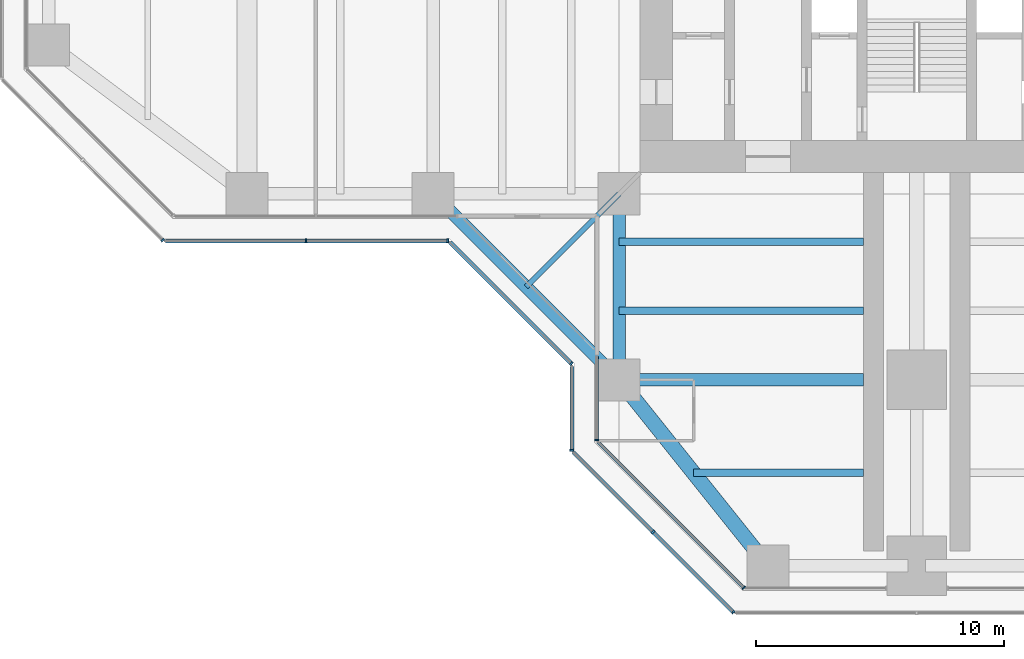
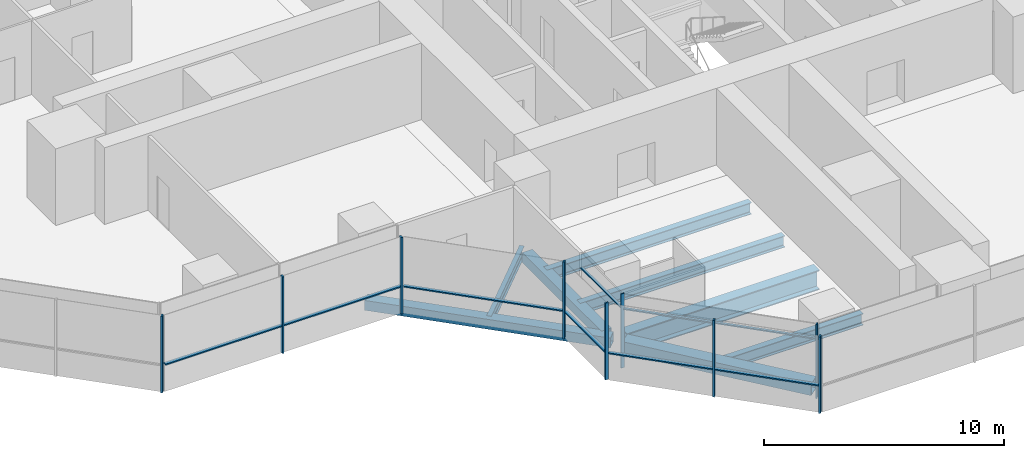
# One storey, part 2 of 19: 17 members, 8 beams, 7 elements without a shape of their own.
"""IFC4 building model written with IfcOpenShell, lengths in metres."""

from ifc_helpers import new_model, si_unit, direction, frame, origin, origin_2d, place, context, subcontext, project, spatial, rectangle, hollow_rectangle, i_section, extrude, material, material_profile, profile_set, type_object, element, aggregate, save


model = new_model("IFC4")

# Units and contexts
model_context = context("Model", 3, precision=1e-05, world=origin(), true_north=direction((0.0, 1.0)))
body_context = subcontext(model_context, "Body", "Model", "MODEL_VIEW")
ifc_project = project(units=[si_unit("LENGTHUNIT", "METRE"), si_unit("AREAUNIT", "SQUARE_METRE"), si_unit("VOLUMEUNIT", "CUBIC_METRE"), si_unit("PLANEANGLEUNIT", "RADIAN"), si_unit("MASSUNIT", "GRAM", prefix="KILO")], contexts=[model_context])

# Site, building, storey
site_placement = place(None, origin())
site = spatial("IfcSite", under=ifc_project, at=site_placement, CompositionType="ELEMENT")
building_placement = place(site_placement, origin())
building = spatial("IfcBuilding", under=site, at=building_placement, Name="Mizan Broadcast Tower", CompositionType="ELEMENT")
storey_placement = place(building_placement, frame((0.0, 0.0, 159.300048828125)))
storey = spatial("IfcBuildingStorey", under=building, at=storey_placement, Name="L36", CompositionType="ELEMENT", Elevation=159.300048828125)

# Beams
ifc_material_1 = material(Name="Steel S355", Category="steel")
ifc_material_profile_1 = material_profile(ifc_material_1, hollow_rectangle(XDim=0.5, YDim=0.5, WallThickness=0.030029296875, at=origin_2d()), Name="BOX 500x500x30")
ifc_profile_set_1 = profile_set([ifc_material_profile_1], Name="Steel S355")
beam_type_1 = type_object("IfcBeamType", Name="EDGE BEAM BOX 500x500x30", PredefinedType="SPANDREL", material=ifc_profile_set_1)
beam_1_placement = place(storey_placement, frame((-12.0, -12.449951171875, -0.380126953125), z_axis=(0.0, -1.0, 0.0), x_axis=(1.0, 0.0, 0.0)))
element("IfcBeam", 1, at=beam_1_placement, inside=storey, type_object=beam_type_1, Name="Edge beam BOX 500x500x30 L36 south arm", PredefinedType="SPANDREL", context=body_context, shape_type="SweptSolid", body=[
    extrude(hollow_rectangle(XDim=0.5, YDim=0.5, WallThickness=0.030029296875, at=origin_2d()), origin(), (0.0, 0.0, 1.0), 6.60009765625),
])
beam_2_placement = place(storey_placement, frame((-19.5, -12.0, -0.380126953125), z_axis=(0.707106781187, -0.707106781187, 0.0), x_axis=(0.707106781187, 0.707106781187, 0.0)))
element("IfcBeam", 2, at=beam_2_placement, inside=storey, type_object=beam_type_1, Name="Winter garden edge beam L36 W", PredefinedType="SPANDREL", context=body_context, shape_type="SweptSolid", body=[
    extrude(hollow_rectangle(XDim=0.5, YDim=0.5, WallThickness=0.030029296875, at=origin_2d()), origin(), (0.0, 0.0, 1.0), 10.606689453125),
])
ifc_material_2 = material(Name="Steel S355", Category="steel")
ifc_material_profile_2 = material_profile(ifc_material_2, hollow_rectangle(XDim=0.60009765625, YDim=0.60009765625, WallThickness=0.030029296875, at=origin_2d()), Name="BOX 600x600x30")
ifc_profile_set_2 = profile_set([ifc_material_profile_2], Name="Steel S355")
beam_type_2 = type_object("IfcBeamType", Name="EDGE BEAM BOX 600x600x30", PredefinedType="SPANDREL", material=ifc_profile_set_2)
beam_3_placement = place(storey_placement, frame((-11.639892578125, -19.949951171875, -0.429931640625), z_axis=(0.624673911726, -0.780885717636, 0.0), x_axis=(0.780885717636, 0.624673911726, 0.0)))
element("IfcBeam", 3, at=beam_3_placement, inside=storey, type_object=beam_type_2, Name="Edge beam BOX 600x600x30 L36 south arm", PredefinedType="SPANDREL", context=body_context, shape_type="SweptSolid", body=[
    extrude(hollow_rectangle(XDim=0.60009765625, YDim=0.60009765625, WallThickness=0.030029296875, at=origin_2d()), origin(), (0.0, 0.0, 1.0), 8.4521484375),
])
ifc_material_3 = material(Name="Steel S460", Category="steel")
ifc_material_profile_3 = material_profile(ifc_material_3, i_section(OverallWidth=0.5, OverallDepth=1.0, WebThickness=0.02490234375, FlangeThickness=0.050048828125, at=origin_2d()), Name="WPG 1000x500")
ifc_profile_set_3 = profile_set([ifc_material_profile_3], Name="Steel S460")
beam_type_3 = type_object("IfcBeamType", Name="GIRDER WPG 1000x500", PredefinedType="BEAM", material=ifc_profile_set_3)
beam_4_placement = place(storey_placement, frame((-11.408935546875, -19.5, -0.630126953125), z_axis=(1.0, 0.0, 0.0), x_axis=(0.0, 1.0, 0.0)))
element("IfcBeam", 4, at=beam_4_placement, inside=storey, type_object=beam_type_3, Name="Girder WPG 1000x500 L36 south arm", PredefinedType="BEAM", context=body_context, shape_type="SweptSolid", body=[
    extrude(i_section(OverallWidth=0.5, OverallDepth=1.0, WebThickness=0.02490234375, FlangeThickness=0.050048828125, at=origin_2d()), origin(), (0.0, 0.0, 1.0), 9.259033203125),
])

# Curtain wall, member
ifc_material_4 = material(Name="Aluminium framed glazing", Category="aluminium")
curtain_wall_type_1 = type_object("IfcCurtainWallType", Name="INNER SKIN MID ZONE", PredefinedType="USERDEFINED", material=ifc_material_4)
curtain_wall_1_placement = place(storey_placement, origin())
curtain_wall_1 = element("IfcCurtainWall", 5, at=curtain_wall_1_placement, inside=storey, type_object=curtain_wall_type_1, Name="Inner skin mid zone L36 S side", ObjectType="INNER SKIN MID ZONE", PredefinedType="USERDEFINED")
ifc_material_5 = material(Name="Aluminium, pale anodised", Category="aluminium")
ifc_material_profile_4 = material_profile(ifc_material_5, rectangle(XDim=0.159912109375, YDim=0.06005859375, at=origin_2d()), Name="MULLION 160x60")
ifc_profile_set_4 = profile_set([ifc_material_profile_4], Name="Aluminium, pale anodised")
member_type_1 = type_object("IfcMemberType", Name="INNER SKIN MULLION 60x160", PredefinedType="MULLION", material=ifc_profile_set_4)
member_1_placement = place(storey_placement, frame((-12.89990234375, -21.928466796875, 0.0), z_axis=(0.0, 0.0, 1.0), x_axis=(1.0, 0.0, 0.0)))
member_1 = element("IfcMember", 6, at=member_1_placement, type_object=member_type_1, Name="Inner skin mid zone L36 S side mullion 2", PredefinedType="MULLION", context=body_context, shape_type="SweptSolid", body=[
    extrude(rectangle(XDim=0.159912109375, YDim=0.06005859375, at=origin_2d()), origin(), (0.0, 0.0, 1.0), 3.77001953125),
])

curtain_wall_2_placement = place(storey_placement, origin())
curtain_wall_2 = element("IfcCurtainWall", 7, at=curtain_wall_2_placement, inside=storey, type_object=curtain_wall_type_1, Name="Inner skin mid zone L36 S chamfer", ObjectType="INNER SKIN MID ZONE", PredefinedType="USERDEFINED")
member_2_placement = place(storey_placement, frame((-6.979736328125, -27.87890625, 0.0), z_axis=(0.0, 0.0, 1.0), x_axis=(0.707106781187, 0.707106781187, 0.0)))
member_2 = element("IfcMember", 8, at=member_2_placement, type_object=member_type_1, Name="Inner skin mid zone L36 S chamfer mullion 2", PredefinedType="MULLION", context=body_context, shape_type="SweptSolid", body=[
    extrude(rectangle(XDim=0.159912109375, YDim=0.06005859375, at=origin_2d()), origin(), (0.0, 0.0, 1.0), 3.77001953125),
])

# Member
ifc_material_6 = material(Name="Aluminium, pale anodised", Category="aluminium")
ifc_material_profile_5 = material_profile(ifc_material_6, rectangle(XDim=0.1201171875, YDim=0.06005859375, at=origin_2d()), Name="TRANSOM 120x60")
ifc_profile_set_5 = profile_set([ifc_material_profile_5], Name="Aluminium, pale anodised")
member_type_2 = type_object("IfcMemberType", Name="INNER SKIN TRANSOM 60x120", PredefinedType="USERDEFINED", material=ifc_profile_set_5)
member_3_placement = place(storey_placement, frame((-12.89990234375, -18.56005859375, 3.030029296875), z_axis=(0.0, -1.0, 0.0), x_axis=(1.0, 0.0, 0.0)))
member_3 = element("IfcMember", 9, at=member_3_placement, type_object=member_type_2, Name="Inner skin mid zone L36 S side transom 1.1", ObjectType="TRANSOM", PredefinedType="USERDEFINED", context=body_context, shape_type="SweptSolid", body=[
    extrude(rectangle(XDim=0.1201171875, YDim=0.06005859375, at=origin_2d()), origin(), (0.0, 0.0, 1.0), 3.338623046875),
])

aggregate(curtain_wall_1, [member_1, member_3])

member_4_placement = place(storey_placement, frame((-12.857666015625, -22.0009765625, 3.030029296875), z_axis=(0.707106781187, -0.707106781187, 0.0), x_axis=(0.707106781187, 0.707106781187, 0.0)))
member_4 = element("IfcMember", 10, at=member_4_placement, type_object=member_type_2, Name="Inner skin mid zone L36 S chamfer transom 1.1", ObjectType="TRANSOM", PredefinedType="USERDEFINED", context=body_context, shape_type="SweptSolid", body=[
    extrude(rectangle(XDim=0.1201171875, YDim=0.06005859375, at=origin_2d()), origin(), (0.0, 0.0, 1.0), 8.28271484375),
])

aggregate(curtain_wall_2, [member_2, member_4])

# Curtain wall, member
ifc_material_7 = material(Name="Aluminium framed glazing", Category="aluminium")
curtain_wall_type_2 = type_object("IfcCurtainWallType", Name="OUTER SKIN", PredefinedType="USERDEFINED", material=ifc_material_7)
curtain_wall_3_placement = place(storey_placement, origin())
curtain_wall_3 = element("IfcCurtainWall", 11, at=curtain_wall_3_placement, inside=storey, type_object=curtain_wall_type_2, Name="Outer skin L36 W chamfer", ObjectType="OUTER SKIN", PredefinedType="USERDEFINED")
ifc_material_8 = material(Name="Aluminium, pale anodised", Category="aluminium")
ifc_material_profile_6 = material_profile(ifc_material_8, rectangle(XDim=0.159912109375, YDim=0.080078125, at=origin_2d()), Name="MULLION 160x80")
ifc_profile_set_6 = profile_set([ifc_material_profile_6], Name="Aluminium, pale anodised")
member_type_3 = type_object("IfcMemberType", Name="OUTER SKIN MULLION 80x160", PredefinedType="MULLION", material=ifc_profile_set_6)
member_5_placement = place(storey_placement, frame((-30.401123046875, -13.871826171875, 0.0), z_axis=(0.0, 0.0, 1.0), x_axis=(0.707106781187, 0.707106781187, 0.0)))
member_5 = element("IfcMember", 12, at=member_5_placement, type_object=member_type_3, Name="Outer skin L36 W chamfer mullion 3", PredefinedType="MULLION", context=body_context, shape_type="SweptSolid", body=[
    extrude(rectangle(XDim=0.159912109375, YDim=0.080078125, at=origin_2d()), origin(), (0.0, 0.0, 1.0), 3.89990234375),
])
aggregate(curtain_wall_3, [member_5])

# Curtain wall, members
curtain_wall_4_placement = place(storey_placement, origin())
curtain_wall_4 = element("IfcCurtainWall", 13, at=curtain_wall_4_placement, inside=storey, type_object=curtain_wall_type_2, Name="Outer skin L36 W side", ObjectType="OUTER SKIN", PredefinedType="USERDEFINED")
member_6_placement = place(storey_placement, frame((-24.622802734375, -13.89990234375, 0.0), z_axis=(0.0, 0.0, 1.0), x_axis=(0.0, 1.0, 0.0)))
member_6 = element("IfcMember", 14, at=member_6_placement, type_object=member_type_3, Name="Outer skin L36 W side mullion 2", PredefinedType="MULLION", context=body_context, shape_type="SweptSolid", body=[
    extrude(rectangle(XDim=0.159912109375, YDim=0.080078125, at=origin_2d()), origin(), (0.0, 0.0, 1.0), 3.89990234375),
])
member_7_placement = place(storey_placement, frame((-18.912841796875, -13.89990234375, 0.0), z_axis=(0.0, 0.0, 1.0), x_axis=(0.0, 1.0, 0.0)))
member_7 = element("IfcMember", 15, at=member_7_placement, type_object=member_type_3, Name="Outer skin L36 W side mullion 3", PredefinedType="MULLION", context=body_context, shape_type="SweptSolid", body=[
    extrude(rectangle(XDim=0.159912109375, YDim=0.080078125, at=origin_2d()), origin(), (0.0, 0.0, 1.0), 3.89990234375),
])

# Curtain wall, member
curtain_wall_5_placement = place(storey_placement, origin())
curtain_wall_5 = element("IfcCurtainWall", 16, at=curtain_wall_5_placement, inside=storey, type_object=curtain_wall_type_2, Name="Outer skin L36 W chamfer", ObjectType="OUTER SKIN", PredefinedType="USERDEFINED")
member_8_placement = place(storey_placement, frame((-13.92822265625, -18.844482421875, 0.0), z_axis=(0.0, 0.0, 1.0), x_axis=(0.707106781187, 0.707106781187, 0.0)))
member_8 = element("IfcMember", 17, at=member_8_placement, type_object=member_type_3, Name="Outer skin L36 W chamfer mullion 2", PredefinedType="MULLION", context=body_context, shape_type="SweptSolid", body=[
    extrude(rectangle(XDim=0.159912109375, YDim=0.080078125, at=origin_2d()), origin(), (0.0, 0.0, 1.0), 3.89990234375),
])

curtain_wall_6_placement = place(storey_placement, origin())
curtain_wall_6 = element("IfcCurtainWall", 18, at=curtain_wall_6_placement, inside=storey, type_object=curtain_wall_type_2, Name="Outer skin L36 S side", ObjectType="OUTER SKIN", PredefinedType="USERDEFINED")
member_9_placement = place(storey_placement, frame((-13.89990234375, -22.332763671875, 0.0), z_axis=(0.0, 0.0, 1.0), x_axis=(1.0, 0.0, 0.0)))
member_9 = element("IfcMember", 19, at=member_9_placement, type_object=member_type_3, Name="Outer skin L36 S side mullion 2", PredefinedType="MULLION", context=body_context, shape_type="SweptSolid", body=[
    extrude(rectangle(XDim=0.159912109375, YDim=0.080078125, at=origin_2d()), origin(), (0.0, 0.0, 1.0), 3.89990234375),
])

# Curtain wall, members
curtain_wall_7_placement = place(storey_placement, origin())
curtain_wall_7 = element("IfcCurtainWall", 20, at=curtain_wall_7_placement, inside=storey, type_object=curtain_wall_type_2, Name="Outer skin L36 S chamfer", ObjectType="OUTER SKIN", PredefinedType="USERDEFINED")
member_10_placement = place(storey_placement, frame((-10.636474609375, -25.636474609375, 0.0), z_axis=(0.0, 0.0, 1.0), x_axis=(0.707106781187, 0.707106781187, 0.0)))
member_10 = element("IfcMember", 21, at=member_10_placement, type_object=member_type_3, Name="Outer skin L36 S chamfer mullion 2", PredefinedType="MULLION", context=body_context, shape_type="SweptSolid", body=[
    extrude(rectangle(XDim=0.159912109375, YDim=0.080078125, at=origin_2d()), origin(), (0.0, 0.0, 1.0), 3.89990234375),
])
member_11_placement = place(storey_placement, frame((-7.401123046875, -28.871826171875, 0.0), z_axis=(0.0, 0.0, 1.0), x_axis=(0.707106781187, 0.707106781187, 0.0)))
member_11 = element("IfcMember", 22, at=member_11_placement, type_object=member_type_3, Name="Outer skin L36 S chamfer mullion 3", PredefinedType="MULLION", context=body_context, shape_type="SweptSolid", body=[
    extrude(rectangle(XDim=0.159912109375, YDim=0.080078125, at=origin_2d()), origin(), (0.0, 0.0, 1.0), 3.89990234375),
])

# Member
ifc_material_9 = material(Name="Aluminium, pale anodised", Category="aluminium")
ifc_material_profile_7 = material_profile(ifc_material_9, rectangle(XDim=0.159912109375, YDim=0.06005859375, at=origin_2d()), Name="TRANSOM 160x60")
ifc_profile_set_7 = profile_set([ifc_material_profile_7], Name="Aluminium, pale anodised")
member_type_4 = type_object("IfcMemberType", Name="OUTER SKIN TRANSOM 60x160", PredefinedType="USERDEFINED", material=ifc_profile_set_7)
member_12_placement = place(storey_placement, frame((-30.292724609375, -13.89990234375, 1.39990234375), z_axis=(1.0, 0.0, 0.0), x_axis=(0.0, 1.0, 0.0)))
member_12 = element("IfcMember", 23, at=member_12_placement, type_object=member_type_4, Name="Outer skin L36 W side transom 1.1", ObjectType="TRANSOM", PredefinedType="USERDEFINED", context=body_context, shape_type="SweptSolid", body=[
    extrude(rectangle(XDim=0.159912109375, YDim=0.06005859375, at=origin_2d()), origin(), (0.0, 0.0, 1.0), 5.6298828125),
])

member_13_placement = place(storey_placement, frame((-24.582763671875, -13.89990234375, 1.39990234375), z_axis=(1.0, 0.0, 0.0), x_axis=(0.0, 1.0, 0.0)))
member_13 = element("IfcMember", 24, at=member_13_placement, type_object=member_type_4, Name="Outer skin L36 W side transom 2.1", ObjectType="TRANSOM", PredefinedType="USERDEFINED", context=body_context, shape_type="SweptSolid", body=[
    extrude(rectangle(XDim=0.159912109375, YDim=0.06005859375, at=origin_2d()), origin(), (0.0, 0.0, 1.0), 5.6298828125),
])

aggregate(curtain_wall_4, [member_6, member_7, member_12, member_13])

member_14_placement = place(storey_placement, frame((-18.816162109375, -13.95654296875, 1.39990234375), z_axis=(0.707106781187, -0.707106781187, 0.0), x_axis=(0.707106781187, 0.707106781187, 0.0)))
member_14 = element("IfcMember", 25, at=member_14_placement, type_object=member_type_4, Name="Outer skin L36 W chamfer transom 1.1", ObjectType="TRANSOM", PredefinedType="USERDEFINED", context=body_context, shape_type="SweptSolid", body=[
    extrude(rectangle(XDim=0.159912109375, YDim=0.06005859375, at=origin_2d()), origin(), (0.0, 0.0, 1.0), 6.87255859375),
])

aggregate(curtain_wall_5, [member_8, member_14])

member_15_placement = place(storey_placement, frame((-13.89990234375, -18.952880859375, 1.39990234375), z_axis=(0.0, -1.0, 0.0), x_axis=(1.0, 0.0, 0.0)))
member_15 = element("IfcMember", 26, at=member_15_placement, type_object=member_type_4, Name="Outer skin L36 S side transom 1.1", ObjectType="TRANSOM", PredefinedType="USERDEFINED", context=body_context, shape_type="SweptSolid", body=[
    extrude(rectangle(XDim=0.159912109375, YDim=0.06005859375, at=origin_2d()), origin(), (0.0, 0.0, 1.0), 3.33984375),
])

aggregate(curtain_wall_6, [member_9, member_15])

member_16_placement = place(storey_placement, frame((-13.843505859375, -22.429443359375, 1.39990234375), z_axis=(0.707106781187, -0.707106781187, 0.0), x_axis=(0.707106781187, 0.707106781187, 0.0)))
member_16 = element("IfcMember", 27, at=member_16_placement, type_object=member_type_4, Name="Outer skin L36 S chamfer transom 1.1", ObjectType="TRANSOM", PredefinedType="USERDEFINED", context=body_context, shape_type="SweptSolid", body=[
    extrude(rectangle(XDim=0.159912109375, YDim=0.06005859375, at=origin_2d()), origin(), (0.0, 0.0, 1.0), 4.495361328125),
])

member_17_placement = place(storey_placement, frame((-10.608154296875, -25.664794921875, 1.39990234375), z_axis=(0.707106781187, -0.707106781187, 0.0), x_axis=(0.707106781187, 0.707106781187, 0.0)))
member_17 = element("IfcMember", 28, at=member_17_placement, type_object=member_type_4, Name="Outer skin L36 S chamfer transom 2.1", ObjectType="TRANSOM", PredefinedType="USERDEFINED", context=body_context, shape_type="SweptSolid", body=[
    extrude(rectangle(XDim=0.159912109375, YDim=0.06005859375, at=origin_2d()), origin(), (0.0, 0.0, 1.0), 4.495361328125),
])

aggregate(curtain_wall_7, [member_10, member_11, member_16, member_17])

# Beams
ifc_material_10 = material(Name="Steel S355", Category="steel")
ifc_material_profile_8 = material_profile(ifc_material_10, i_section(OverallWidth=0.300048828125, OverallDepth=0.590087890625, WebThickness=0.012939453125, FlangeThickness=0.02490234375, FilletRadius=0.027099609375, at=origin_2d()), Name="HEA 600")
ifc_profile_set_8 = profile_set([ifc_material_profile_8], Name="Steel S355")
beam_type_4 = type_object("IfcBeamType", Name="SECONDARY BEAM HEA 600", PredefinedType="JOIST", material=ifc_profile_set_8)
for number, where, z_axis, x_axis, name in (
    (29, (-12.0, -13.933349609375, -0.425048828125), (1.0, 0.0, 0.0), (0.0, 1.0, 0.0), "Secondary beam HEA 600 L36 south arm"),
    (30, (-12.0, -16.716552734375, -0.425048828125), (1.0, 0.0, 0.0), (0.0, 1.0, 0.0), "Secondary beam HEA 600 L36 south arm"),
):
    element("IfcBeam", number, at=place(storey_placement, frame(where, z_axis=z_axis, x_axis=x_axis)), inside=storey, type_object=beam_type_4, Name=name, PredefinedType="JOIST", context=body_context, shape_type="SweptSolid", body=[
        extrude(i_section(OverallWidth=0.300048828125, OverallDepth=0.590087890625, WebThickness=0.012939453125, FlangeThickness=0.02490234375, FilletRadius=0.027099609375, at=origin_2d()), origin(), (0.0, 0.0, 1.0), 9.85009765625),
    ])
beam_5_placement = place(storey_placement, frame((-9.0, -23.25, -0.425048828125), z_axis=(1.0, 0.0, 0.0), x_axis=(0.0, 1.0, 0.0)))
element("IfcBeam", 31, at=beam_5_placement, inside=storey, type_object=beam_type_4, Name="Secondary beam HEA 600 L36 south arm", PredefinedType="JOIST", context=body_context, shape_type="SweptSolid", body=[
    extrude(i_section(OverallWidth=0.300048828125, OverallDepth=0.590087890625, WebThickness=0.012939453125, FlangeThickness=0.02490234375, FilletRadius=0.027099609375, at=origin_2d()), origin(), (0.0, 0.0, 1.0), 6.85009765625),
])
ifc_material_11 = material(Name="Steel S355", Category="steel")
ifc_material_profile_9 = material_profile(ifc_material_11, i_section(OverallWidth=0.2099609375, OverallDepth=0.550048828125, WebThickness=0.010986328125, FlangeThickness=0.01708984375, FilletRadius=0.02392578125, at=origin_2d()), Name="IPE 550")
ifc_profile_set_9 = profile_set([ifc_material_profile_9], Name="Steel S355")
beam_type_5 = type_object("IfcBeamType", Name="SECONDARY BEAM IPE 550", PredefinedType="JOIST", material=ifc_profile_set_9)
beam_6_placement = place(storey_placement, frame((-12.0, -12.0, -0.405029296875), z_axis=(-0.707106781187, -0.707106781187, 0.0), x_axis=(0.707106781187, -0.707106781187, 0.0)))
element("IfcBeam", 32, at=beam_6_placement, inside=storey, type_object=beam_type_5, Name="Winter garden beam L36 W", PredefinedType="JOIST", context=body_context, shape_type="SweptSolid", body=[
    extrude(i_section(OverallWidth=0.2099609375, OverallDepth=0.550048828125, WebThickness=0.010986328125, FlangeThickness=0.01708984375, FilletRadius=0.02392578125, at=origin_2d()), origin(), (0.0, 0.0, 1.0), 5.30322265625),
])

save(model, "model.ifc")
